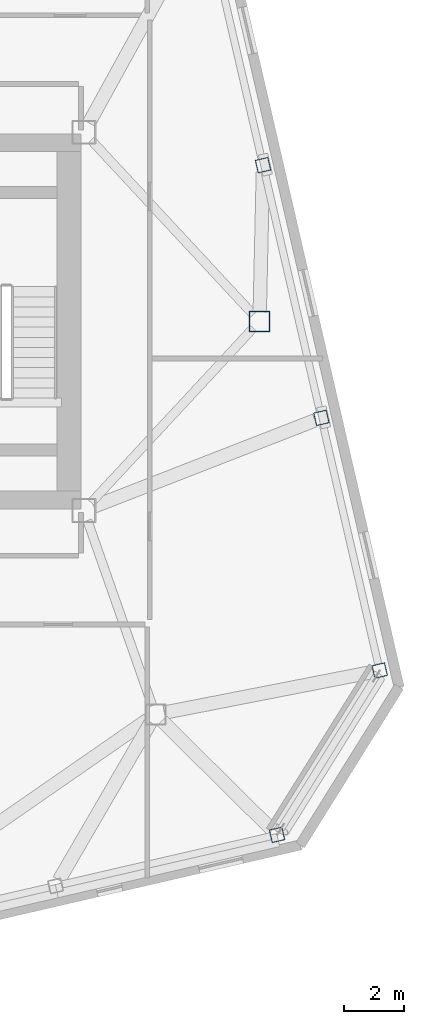
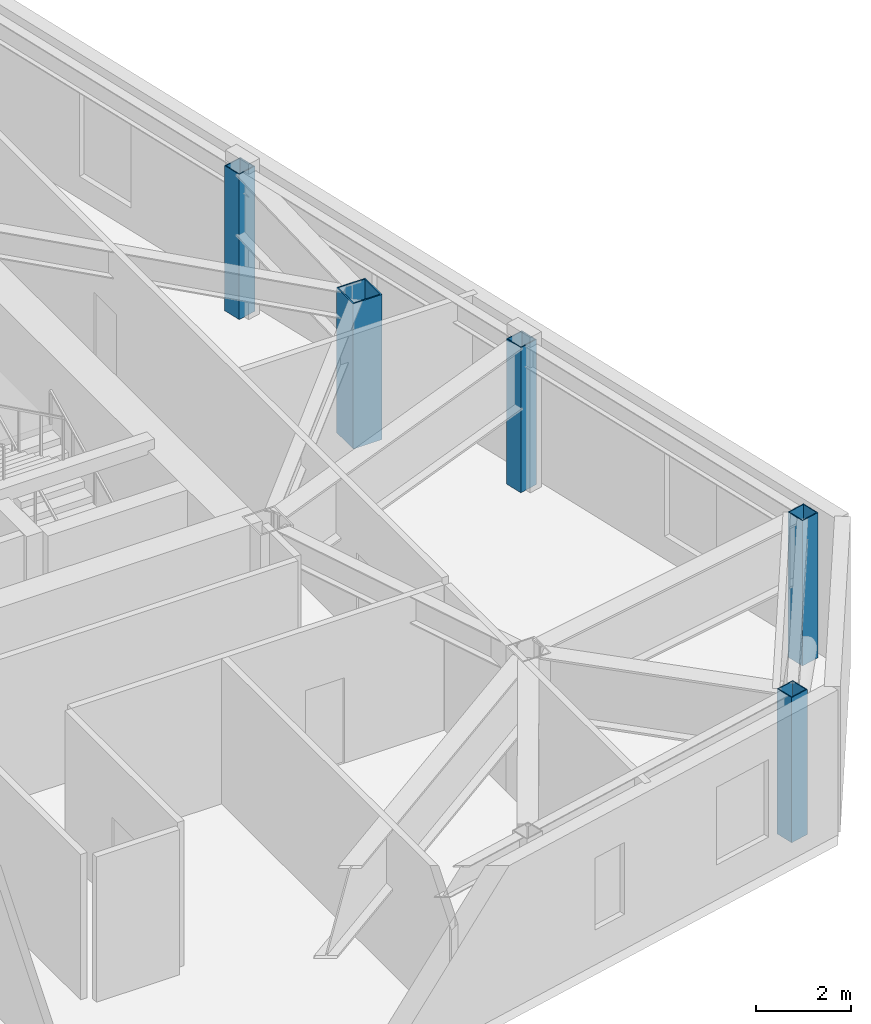
# One storey, part 4 of 21: 5 columns.
"""IFC4 building model written with IfcOpenShell, lengths in metres."""

from ifc_helpers import new_model, si_unit, direction, frame, origin, origin_2d, place, context, subcontext, project, spatial, hollow_rectangle, extrude, material, material_profile, profile_set, type_object, element, save


model = new_model("IFC4")

# Units and contexts
model_context = context("Model", 3, precision=1e-05, world=origin(), true_north=direction((0.0, 1.0)))
body_context = subcontext(model_context, "Body", "Model", "MODEL_VIEW")
ifc_project = project(units=[si_unit("LENGTHUNIT", "METRE"), si_unit("AREAUNIT", "SQUARE_METRE"), si_unit("VOLUMEUNIT", "CUBIC_METRE"), si_unit("PLANEANGLEUNIT", "RADIAN"), si_unit("MASSUNIT", "GRAM", prefix="KILO")], contexts=[model_context])

# Site, building, storey
site_placement = place(None, origin())
site = spatial("IfcSite", under=ifc_project, at=site_placement, CompositionType="ELEMENT")
building_placement = place(site_placement, origin())
building = spatial("IfcBuilding", under=site, at=building_placement, Name="Tavrogorsk Clinical Tower", CompositionType="ELEMENT")
storey_placement = place(building_placement, frame((0.0, 0.0, 281.0)))
storey = spatial("IfcBuildingStorey", under=building, at=storey_placement, Name="L65", CompositionType="ELEMENT", Elevation=281.0)

# Columns
ifc_material_1 = material(Name="Structural steel S440", Category="steel")
ifc_material_profile_1 = material_profile(ifc_material_1, hollow_rectangle(XDim=0.699951171875, YDim=0.699951171875, WallThickness=0.031982421875, at=origin_2d()), Name="BOX-700x700x32")
ifc_profile_set_1 = profile_set([ifc_material_profile_1], Name="Structural steel S440")
column_type_1 = type_object("IfcColumnType", Name="MegaCol_BOX700", PredefinedType="COLUMN", material=ifc_profile_set_1)
column_placement = place(storey_placement, frame((28.0, 0.0, 0.0), z_axis=(0.0, 0.0, 1.0), x_axis=(1.0, 0.0, 0.0)))
element("IfcColumn", 1, at=column_placement, inside=storey, type_object=column_type_1, Name="L65 Spine Pilotis Column MC-P6", PredefinedType="COLUMN", context=body_context, shape_type="SweptSolid", body=[
    extrude(hollow_rectangle(XDim=0.699951171875, YDim=0.699951171875, WallThickness=0.031982421875, at=origin_2d()), origin(), (0.0, 0.0, 1.0), 3.739990234375),
])
ifc_material_2 = material(Name="Structural steel S440", Category="steel")
ifc_material_profile_2 = material_profile(ifc_material_2, hollow_rectangle(XDim=0.449951171875, YDim=0.449951171875, WallThickness=0.02197265625, at=origin_2d()), Name="BOX-450x450x22")
ifc_profile_set_2 = profile_set([ifc_material_profile_2], Name="Structural steel S440")
column_type_2 = type_object("IfcColumnType", Name="PerimCol_B5_BOX450", PredefinedType="COLUMN", material=ifc_profile_set_2)
for number, where, z_axis, x_axis, name in (
    (2, (28.588623046875, -17.244873046875, 0.0), (0.0, 0.0, 1.0), (0.974370064785, 0.224951054344, 0.0), "L65 Perimeter Column S8"),
    (3, (32.035888671875, -11.72802734375, 0.0), (0.0, 0.0, 1.0), (0.974370064785, 0.224951054344, 0.0), "L65 Perimeter Column E1"),
    (4, (30.07666015625, -3.2412109375, 0.0), (0.0, 0.0, 1.0), (0.974370064785, 0.224951054344, 0.0), "L65 Perimeter Column E2"),
    (5, (28.1171875, 5.24560546875, 0.0), (0.0, 0.0, 1.0), (0.974370064785, 0.224951054344, 0.0), "L65 Perimeter Column E3"),
):
    element("IfcColumn", number, at=place(storey_placement, frame(where, z_axis=z_axis, x_axis=x_axis)), inside=storey, type_object=column_type_2, Name=name, PredefinedType="COLUMN", context=body_context, shape_type="SweptSolid", body=[
        extrude(hollow_rectangle(XDim=0.449951171875, YDim=0.449951171875, WallThickness=0.02197265625, at=origin_2d()), origin(), (0.0, 0.0, 1.0), 3.739990234375),
    ])

save(model, "model.ifc")
